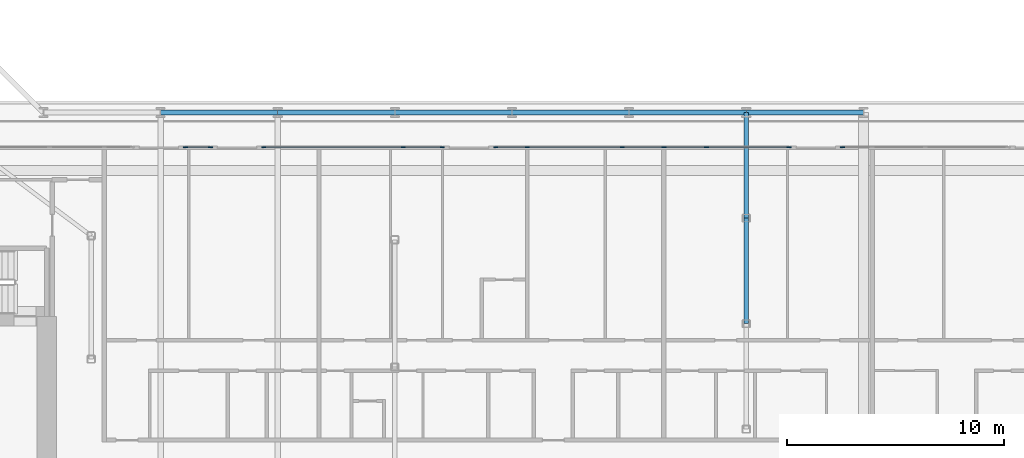
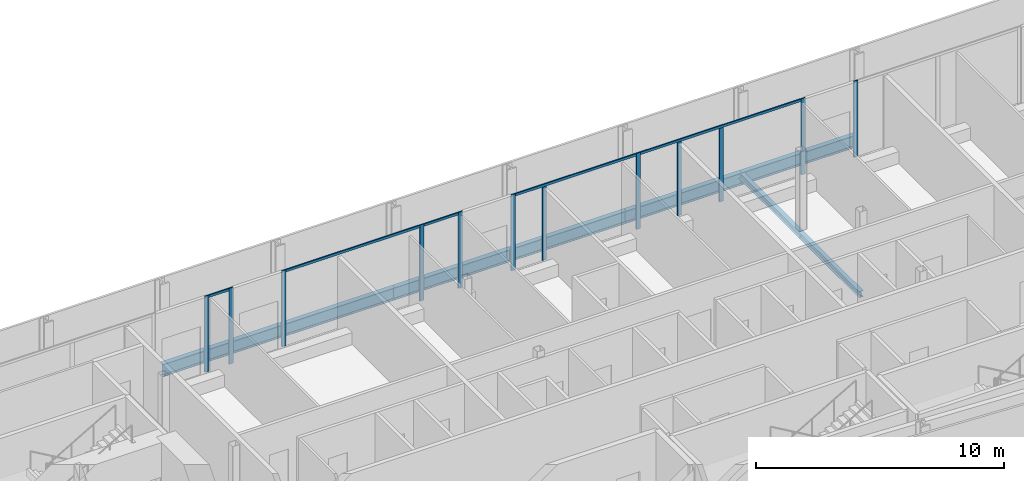
# One storey, part 6 of 28: 17 members, 8 beams, 6 elements without a shape of their own.
"""IFC4 building model written with IfcOpenShell, lengths in metres."""

from ifc_helpers import new_model, si_unit, direction, frame, origin, origin_2d, place, context, subcontext, project, spatial, rectangle, i_section, extrude, material, layer, layer_set, material_profile, profile_set, type_object, element, aggregate, save


model = new_model("IFC4")

# Units and contexts
model_context = context("Model", 3, precision=1e-05, world=origin(), true_north=direction((0.0, 1.0)))
body_context = subcontext(model_context, "Body", "Model", "MODEL_VIEW")
ifc_project = project(units=[si_unit("LENGTHUNIT", "METRE"), si_unit("AREAUNIT", "SQUARE_METRE"), si_unit("VOLUMEUNIT", "CUBIC_METRE"), si_unit("PLANEANGLEUNIT", "RADIAN"), si_unit("MASSUNIT", "GRAM", prefix="KILO")], contexts=[model_context])

# Site, building, storey
site_placement = place(None, origin())
site = spatial("IfcSite", under=ifc_project, at=site_placement, CompositionType="ELEMENT")
building_placement = place(site_placement, origin())
building = spatial("IfcBuilding", under=site, at=building_placement, Name="Kheshtan School and Residences Tower", CompositionType="ELEMENT")
storey_placement = place(building_placement, frame((0.0, 0.0, 129.199951171875)))
storey = spatial("IfcBuildingStorey", under=building, at=storey_placement, Name="L30", CompositionType="ELEMENT", Elevation=129.199951171875)

# Beams
ifc_material_1 = material(Name="Steel ASTM A992 Grade 50", Category="steel")
ifc_material_profile_1 = material_profile(ifc_material_1, i_section(OverallWidth=0.202880859375, OverallDepth=0.302978515625, WebThickness=0.007568359375, FlangeThickness=0.01318359375, FilletRadius=0.009033203125, at=origin_2d()), Name="W310x60")
ifc_profile_set_1 = profile_set([ifc_material_profile_1], Name="Steel ASTM A992 Grade 50")
beam_type_1 = type_object("IfcBeamType", Name="Beam FB1 W310x60 ASTM A992 Grade 50", PredefinedType="BEAM", material=ifc_profile_set_1)
for number, where, z_axis, x_axis, name in (
    (1, (85.39990234375, 45.60009765625, -0.301513671875), (0.0, -1.0, 0.0), (1.0, 0.0, 0.0), "Floor beam C067"),
    (2, (85.39990234375, 40.735107421875, -0.301513671875), (0.0, -1.0, 0.0), (1.0, 0.0, 0.0), "Floor beam IC"),
):
    element("IfcBeam", number, at=place(storey_placement, frame(where, z_axis=z_axis, x_axis=x_axis)), inside=storey, type_object=beam_type_1, Name=name, PredefinedType="BEAM", context=body_context, shape_type="SweptSolid", body=[
        extrude(i_section(OverallWidth=0.202880859375, OverallDepth=0.302978515625, WebThickness=0.007568359375, FlangeThickness=0.01318359375, FilletRadius=0.009033203125, at=origin_2d()), origin(), (0.0, 0.0, 1.0), 4.864990234375),
    ])
ifc_material_profile_2 = material_profile(ifc_material_1, i_section(OverallWidth=0.22802734375, OverallDepth=0.60302734375, WebThickness=0.010498046875, FlangeThickness=0.014892578125, FilletRadius=0.013427734375, at=origin_2d()), Name="W610x101")
ifc_profile_set_2 = profile_set([ifc_material_profile_2], Name="Steel ASTM A992 Grade 50")
beam_type_2 = type_object("IfcBeamType", Name="Beam SP2 W610x101 ASTM A992 Grade 50", PredefinedType="BEAM", material=ifc_profile_set_2)
beam_1_placement = place(storey_placement, frame((58.39990234375, 45.60009765625, -0.451416015625), z_axis=(1.0, 0.0, 0.0), x_axis=(0.0, 1.0, 0.0)))
element("IfcBeam", 3, at=beam_1_placement, inside=storey, type_object=beam_type_2, Name="Spandrel beam C062-C063", PredefinedType="BEAM", context=body_context, shape_type="SweptSolid", body=[
    extrude(i_section(OverallWidth=0.22802734375, OverallDepth=0.60302734375, WebThickness=0.010498046875, FlangeThickness=0.014892578125, FilletRadius=0.013427734375, at=origin_2d()), origin(), (0.0, 0.0, 1.0), 5.400146484375),
])
beam_2_placement = place(storey_placement, frame((63.800048828125, 45.60009765625, -0.451416015625), z_axis=(1.0, 0.0, 0.0), x_axis=(0.0, 1.0, 0.0)))
element("IfcBeam", 4, at=beam_2_placement, inside=storey, type_object=beam_type_2, Name="Spandrel beam C063-C064", PredefinedType="BEAM", context=body_context, shape_type="SweptSolid", body=[
    extrude(i_section(OverallWidth=0.22802734375, OverallDepth=0.60302734375, WebThickness=0.010498046875, FlangeThickness=0.014892578125, FilletRadius=0.013427734375, at=origin_2d()), origin(), (0.0, 0.0, 1.0), 5.39990234375),
])
beam_3_placement = place(storey_placement, frame((69.199951171875, 45.60009765625, -0.451416015625), z_axis=(1.0, 0.0, 0.0), x_axis=(0.0, 1.0, 0.0)))
element("IfcBeam", 5, at=beam_3_placement, inside=storey, type_object=beam_type_2, Name="Spandrel beam C064-C065", PredefinedType="BEAM", context=body_context, shape_type="SweptSolid", body=[
    extrude(i_section(OverallWidth=0.22802734375, OverallDepth=0.60302734375, WebThickness=0.010498046875, FlangeThickness=0.014892578125, FilletRadius=0.013427734375, at=origin_2d()), origin(), (0.0, 0.0, 1.0), 5.400146484375),
])
for number, where, z_axis, x_axis, name in (
    (6, (74.60009765625, 45.60009765625, -0.451416015625), (1.0, 0.0, 0.0), (0.0, 1.0, 0.0), "Spandrel beam C065-C066"),
    (7, (80.0, 45.60009765625, -0.451416015625), (1.0, 0.0, 0.0), (0.0, 1.0, 0.0), "Spandrel beam C066-C067"),
):
    element("IfcBeam", number, at=place(storey_placement, frame(where, z_axis=z_axis, x_axis=x_axis)), inside=storey, type_object=beam_type_2, Name=name, PredefinedType="BEAM", context=body_context, shape_type="SweptSolid", body=[
        extrude(i_section(OverallWidth=0.22802734375, OverallDepth=0.60302734375, WebThickness=0.010498046875, FlangeThickness=0.014892578125, FilletRadius=0.013427734375, at=origin_2d()), origin(), (0.0, 0.0, 1.0), 5.39990234375),
    ])
beam_4_placement = place(storey_placement, frame((85.39990234375, 45.60009765625, -0.451416015625), z_axis=(1.0, 0.0, 0.0), x_axis=(0.0, 1.0, 0.0)))
element("IfcBeam", 8, at=beam_4_placement, inside=storey, type_object=beam_type_2, Name="Spandrel beam C067-C068", PredefinedType="BEAM", context=body_context, shape_type="SweptSolid", body=[
    extrude(i_section(OverallWidth=0.22802734375, OverallDepth=0.60302734375, WebThickness=0.010498046875, FlangeThickness=0.014892578125, FilletRadius=0.013427734375, at=origin_2d()), origin(), (0.0, 0.0, 1.0), 5.400146484375),
])

# Curtain wall, members
ifc_material_2 = material(Name="Clear low-e glass in thermally broken aluminium frame", Category="aluminium")
ifc_layer = layer(ifc_material_2, 0.199951171875)
ifc_layer_set = layer_set([ifc_layer], Name="Curtain wall CW-L")
curtain_wall_type = type_object("IfcCurtainWallType", Name="Curtain wall CW-L", PredefinedType="NOTDEFINED", material=ifc_layer_set)
curtain_wall_1_placement = place(storey_placement, origin())
curtain_wall_1 = element("IfcCurtainWall", 9, at=curtain_wall_1_placement, inside=storey, type_object=curtain_wall_type, Name="Curtain wall CWL12b", PredefinedType="NOTDEFINED")
ifc_material_3 = material(Name="Thermally broken aluminium, dark bronze anodised", Category="aluminium")
ifc_material_profile_3 = material_profile(ifc_material_3, rectangle(XDim=0.06005859375, YDim=0.199951171875, at=origin_2d()), Name="CW-L mullion 60x200")
ifc_profile_set_3 = profile_set([ifc_material_profile_3], Name="Thermally broken aluminium, dark bronze anodised")
member_type_1 = type_object("IfcMemberType", Name="CW-L mullion 60x200", PredefinedType="MULLION", material=ifc_profile_set_3)
member_1_placement = place(storey_placement, frame((59.553955078125, 44.0, 0.0), z_axis=(0.0, 0.0, 1.0), x_axis=(0.0, 1.0, 0.0)))
member_1 = element("IfcMember", 10, at=member_1_placement, type_object=member_type_1, Name="CWL12b mullion 1", PredefinedType="MULLION", context=body_context, shape_type="SweptSolid", body=[
    extrude(rectangle(XDim=0.06005859375, YDim=0.199951171875, at=origin_2d()), origin(), (0.0, 0.0, 1.0), 3.75),
])
member_2_placement = place(storey_placement, frame((60.694091796875, 44.0, 0.0), z_axis=(0.0, 0.0, 1.0), x_axis=(0.0, 1.0, 0.0)))
member_2 = element("IfcMember", 11, at=member_2_placement, type_object=member_type_1, Name="CWL12b mullion 2", PredefinedType="MULLION", context=body_context, shape_type="SweptSolid", body=[
    extrude(rectangle(XDim=0.06005859375, YDim=0.199951171875, at=origin_2d()), origin(), (0.0, 0.0, 1.0), 3.75),
])

curtain_wall_2_placement = place(storey_placement, origin())
curtain_wall_2 = element("IfcCurtainWall", 12, at=curtain_wall_2_placement, inside=storey, type_object=curtain_wall_type, Name="Curtain wall CWL12s", PredefinedType="NOTDEFINED")
member_3_placement = place(storey_placement, frame((63.154052734375, 44.0, 0.0), z_axis=(0.0, 0.0, 1.0), x_axis=(0.0, 1.0, 0.0)))
member_3 = element("IfcMember", 13, at=member_3_placement, type_object=member_type_1, Name="CWL12s mullion 1", PredefinedType="MULLION", context=body_context, shape_type="SweptSolid", body=[
    extrude(rectangle(XDim=0.06005859375, YDim=0.199951171875, at=origin_2d()), origin(), (0.0, 0.0, 1.0), 3.75),
])
member_4_placement = place(storey_placement, frame((69.587890625, 44.0, 0.0), z_axis=(0.0, 0.0, 1.0), x_axis=(0.0, 1.0, 0.0)))
member_4 = element("IfcMember", 14, at=member_4_placement, type_object=member_type_1, Name="CWL12s mullion 2", PredefinedType="MULLION", context=body_context, shape_type="SweptSolid", body=[
    extrude(rectangle(XDim=0.06005859375, YDim=0.199951171875, at=origin_2d()), origin(), (0.0, 0.0, 1.0), 3.75),
])

# Curtain wall, member
curtain_wall_3_placement = place(storey_placement, origin())
curtain_wall_3 = element("IfcCurtainWall", 15, at=curtain_wall_3_placement, inside=storey, type_object=curtain_wall_type, Name="Curtain wall CWL12q", PredefinedType="NOTDEFINED")
member_5_placement = place(storey_placement, frame((71.387939453125, 44.0, 0.0), z_axis=(0.0, 0.0, 1.0), x_axis=(0.0, 1.0, 0.0)))
member_5 = element("IfcMember", 16, at=member_5_placement, type_object=member_type_1, Name="CWL12q mullion 2", PredefinedType="MULLION", context=body_context, shape_type="SweptSolid", body=[
    extrude(rectangle(XDim=0.06005859375, YDim=0.199951171875, at=origin_2d()), origin(), (0.0, 0.0, 1.0), 3.75),
])

# Curtain wall, members
curtain_wall_4_placement = place(storey_placement, origin())
curtain_wall_4 = element("IfcCurtainWall", 17, at=curtain_wall_4_placement, inside=storey, type_object=curtain_wall_type, Name="Curtain wall CWL12t", PredefinedType="NOTDEFINED")
member_6_placement = place(storey_placement, frame((73.847900390625, 44.0, 0.0), z_axis=(0.0, 0.0, 1.0), x_axis=(0.0, 1.0, 0.0)))
member_6 = element("IfcMember", 18, at=member_6_placement, type_object=member_type_1, Name="CWL12t mullion 1", PredefinedType="MULLION", context=body_context, shape_type="SweptSolid", body=[
    extrude(rectangle(XDim=0.06005859375, YDim=0.199951171875, at=origin_2d()), origin(), (0.0, 0.0, 1.0), 3.75),
])
member_7_placement = place(storey_placement, frame((75.300048828125, 44.0, 0.0), z_axis=(0.0, 0.0, 1.0), x_axis=(0.0, 1.0, 0.0)))
member_7 = element("IfcMember", 19, at=member_7_placement, type_object=member_type_1, Name="CWL12t mullion 2", PredefinedType="MULLION", context=body_context, shape_type="SweptSolid", body=[
    extrude(rectangle(XDim=0.06005859375, YDim=0.199951171875, at=origin_2d()), origin(), (0.0, 0.0, 1.0), 3.630126953125),
])
member_8_placement = place(storey_placement, frame((79.681884765625, 44.0, 0.0), z_axis=(0.0, 0.0, 1.0), x_axis=(0.0, 1.0, 0.0)))
member_8 = element("IfcMember", 20, at=member_8_placement, type_object=member_type_1, Name="CWL12t mullion 3", PredefinedType="MULLION", context=body_context, shape_type="SweptSolid", body=[
    extrude(rectangle(XDim=0.06005859375, YDim=0.199951171875, at=origin_2d()), origin(), (0.0, 0.0, 1.0), 3.75),
])

curtain_wall_5_placement = place(storey_placement, origin())
curtain_wall_5 = element("IfcCurtainWall", 21, at=curtain_wall_5_placement, inside=storey, type_object=curtain_wall_type, Name="Curtain wall CWL12k", PredefinedType="NOTDEFINED")
member_9_placement = place(storey_placement, frame((81.60009765625, 44.0, 0.0), z_axis=(0.0, 0.0, 1.0), x_axis=(0.0, 1.0, 0.0)))
member_9 = element("IfcMember", 22, at=member_9_placement, type_object=member_type_1, Name="CWL12k mullion 2", PredefinedType="MULLION", context=body_context, shape_type="SweptSolid", body=[
    extrude(rectangle(XDim=0.06005859375, YDim=0.199951171875, at=origin_2d()), origin(), (0.0, 0.0, 1.0), 3.630126953125),
])
member_10_placement = place(storey_placement, frame((83.55908203125, 44.0, 0.0), z_axis=(0.0, 0.0, 1.0), x_axis=(0.0, 1.0, 0.0)))
member_10 = element("IfcMember", 23, at=member_10_placement, type_object=member_type_1, Name="CWL12k mullion 3", PredefinedType="MULLION", context=body_context, shape_type="SweptSolid", body=[
    extrude(rectangle(XDim=0.06005859375, YDim=0.199951171875, at=origin_2d()), origin(), (0.0, 0.0, 1.0), 3.630126953125),
])
member_11_placement = place(storey_placement, frame((87.3759765625, 44.0, 0.0), z_axis=(0.0, 0.0, 1.0), x_axis=(0.0, 1.0, 0.0)))
member_11 = element("IfcMember", 24, at=member_11_placement, type_object=member_type_1, Name="CWL12k mullion 4", PredefinedType="MULLION", context=body_context, shape_type="SweptSolid", body=[
    extrude(rectangle(XDim=0.06005859375, YDim=0.199951171875, at=origin_2d()), origin(), (0.0, 0.0, 1.0), 3.75),
])

# Curtain wall, member
curtain_wall_6_placement = place(storey_placement, origin())
curtain_wall_6 = element("IfcCurtainWall", 25, at=curtain_wall_6_placement, inside=storey, type_object=curtain_wall_type, Name="Curtain wall CWL12k", PredefinedType="NOTDEFINED")
member_12_placement = place(storey_placement, frame((89.8359375, 44.0, 0.0), z_axis=(0.0, 0.0, 1.0), x_axis=(0.0, 1.0, 0.0)))
member_12 = element("IfcMember", 26, at=member_12_placement, type_object=member_type_1, Name="CWL12k mullion 1", PredefinedType="MULLION", context=body_context, shape_type="SweptSolid", body=[
    extrude(rectangle(XDim=0.06005859375, YDim=0.199951171875, at=origin_2d()), origin(), (0.0, 0.0, 1.0), 3.75),
])
aggregate(curtain_wall_6, [member_12])

# Member
ifc_material_profile_4 = material_profile(ifc_material_3, rectangle(XDim=0.06005859375, YDim=0.1201171875, at=origin_2d()), Name="CW-L transom 60x120")
ifc_profile_set_4 = profile_set([ifc_material_profile_4], Name="Thermally broken aluminium, dark bronze anodised")
member_type_2 = type_object("IfcMemberType", Name="CW-L transom 60x120", PredefinedType="USERDEFINED", material=ifc_profile_set_4)
member_13_placement = place(storey_placement, frame((59.583984375, 44.0, 3.68994140625), z_axis=(1.0, 0.0, 0.0), x_axis=(0.0, 1.0, 0.0)))
member_13 = element("IfcMember", 27, at=member_13_placement, type_object=member_type_2, Name="CWL12b transom 1", ObjectType="TRANSOM", PredefinedType="USERDEFINED", context=body_context, shape_type="SweptSolid", body=[
    extrude(rectangle(XDim=0.06005859375, YDim=0.1201171875, at=origin_2d()), origin(), (0.0, 0.0, 1.0), 1.080078125),
])

aggregate(curtain_wall_1, [member_1, member_2, member_13])

member_14_placement = place(storey_placement, frame((63.18408203125, 44.0, 3.68994140625), z_axis=(1.0, 0.0, 0.0), x_axis=(0.0, 1.0, 0.0)))
member_14 = element("IfcMember", 28, at=member_14_placement, type_object=member_type_2, Name="CWL12s transom 1", ObjectType="TRANSOM", PredefinedType="USERDEFINED", context=body_context, shape_type="SweptSolid", body=[
    extrude(rectangle(XDim=0.06005859375, YDim=0.1201171875, at=origin_2d()), origin(), (0.0, 0.0, 1.0), 6.3740234375),
])

aggregate(curtain_wall_2, [member_3, member_4, member_14])

member_15_placement = place(storey_placement, frame((69.617919921875, 44.0, 3.68994140625), z_axis=(1.0, 0.0, 0.0), x_axis=(0.0, 1.0, 0.0)))
member_15 = element("IfcMember", 29, at=member_15_placement, type_object=member_type_2, Name="CWL12q transom 1", ObjectType="TRANSOM", PredefinedType="USERDEFINED", context=body_context, shape_type="SweptSolid", body=[
    extrude(rectangle(XDim=0.06005859375, YDim=0.1201171875, at=origin_2d()), origin(), (0.0, 0.0, 1.0), 1.739990234375),
])

aggregate(curtain_wall_3, [member_5, member_15])

member_16_placement = place(storey_placement, frame((73.8779296875, 44.0, 3.68994140625), z_axis=(1.0, 0.0, 0.0), x_axis=(0.0, 1.0, 0.0)))
member_16 = element("IfcMember", 30, at=member_16_placement, type_object=member_type_2, Name="CWL12t transom 1", ObjectType="TRANSOM", PredefinedType="USERDEFINED", context=body_context, shape_type="SweptSolid", body=[
    extrude(rectangle(XDim=0.06005859375, YDim=0.1201171875, at=origin_2d()), origin(), (0.0, 0.0, 1.0), 5.774169921875),
])

aggregate(curtain_wall_4, [member_6, member_7, member_8, member_16])

member_17_placement = place(storey_placement, frame((79.7119140625, 44.0, 3.68994140625), z_axis=(1.0, 0.0, 0.0), x_axis=(0.0, 1.0, 0.0)))
member_17 = element("IfcMember", 31, at=member_17_placement, type_object=member_type_2, Name="CWL12k transom 1", ObjectType="TRANSOM", PredefinedType="USERDEFINED", context=body_context, shape_type="SweptSolid", body=[
    extrude(rectangle(XDim=0.06005859375, YDim=0.1201171875, at=origin_2d()), origin(), (0.0, 0.0, 1.0), 7.634033203125),
])

aggregate(curtain_wall_5, [member_9, member_10, member_11, member_17])

save(model, "model.ifc")
